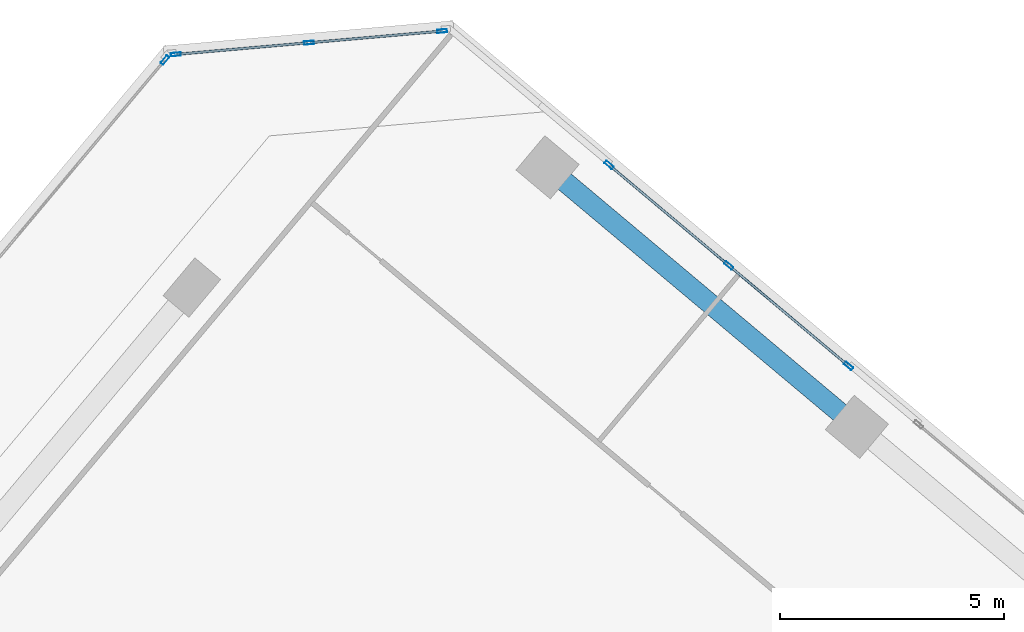
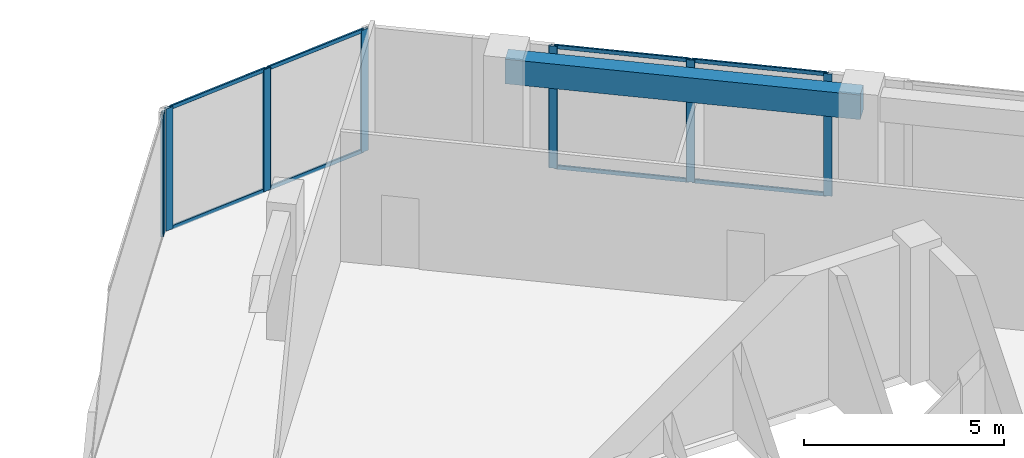
# One storey, part 9 of 17: 15 members, 1 beam, 3 elements without a shape of their own.
"""IFC4 building model written with IfcOpenShell, lengths in metres."""

from ifc_helpers import new_model, si_unit, direction, frame, origin, origin_2d, place, context, subcontext, project, spatial, rectangle, hollow_rectangle, extrude, source, transform, mapped, material, material_profile, profile_set, type_object, element, aggregate, save


model = new_model("IFC4")

# Units and contexts
model_context = context("Model", 3, precision=1e-05, world=origin(), true_north=direction((0.0, 1.0)))
body_context = subcontext(model_context, "Body", "Model", "MODEL_VIEW")
ifc_project = project(units=[si_unit("LENGTHUNIT", "METRE"), si_unit("AREAUNIT", "SQUARE_METRE"), si_unit("VOLUMEUNIT", "CUBIC_METRE"), si_unit("PLANEANGLEUNIT", "RADIAN"), si_unit("MASSUNIT", "GRAM", prefix="KILO")], contexts=[model_context])

# Site, building, storey
site_placement = place(None, origin())
site = spatial("IfcSite", under=ifc_project, at=site_placement, CompositionType="ELEMENT")
building_placement = place(site_placement, origin())
building = spatial("IfcBuilding", under=site, at=building_placement, Name="Torre Montelarca", CompositionType="ELEMENT")
storey_placement = place(building_placement, frame((0.0, 0.0, 220.60009765625)))
storey = spatial("IfcBuildingStorey", under=building, at=storey_placement, Name="L49", CompositionType="ELEMENT", Elevation=220.60009765625)

# Beam
ifc_material_1 = material(Name="Concrete C55/67", Category="concrete")
ifc_material_profile_1 = material_profile(ifc_material_1, rectangle(XDim=0.449951171875, YDim=0.75, at=origin_2d()), Name="RCB450X750", Category="concrete")
ifc_profile_set_1 = profile_set([ifc_material_profile_1], Name="Concrete C55/67")
beam_type = type_object("IfcBeamType", Name="BM-SP-RC750-EXT", PredefinedType="SPANDREL", material=ifc_profile_set_1)
shared_shape_1 = source(origin(), body_context, "Body", "SweptSolid", [
    extrude(rectangle(XDim=0.449951171875, YDim=0.75, at=origin_2d()), origin(), (0.0, 0.0, 1.0), 9.000244140625),
])
beam_placement = place(storey_placement, frame((21.66259765625, 51.640380859375, 3.5849609375), z_axis=(0.766046761698, -0.642784846501, 0.0), x_axis=(0.642784846501, 0.766046761698, 0.0)))
element("IfcBeam", 1, at=beam_placement, inside=storey, type_object=beam_type, Name="L49 Grid Girder X 9.0-18.0 at Y=47.1", PredefinedType="SPANDREL", context=body_context, shape_type="MappedRepresentation", body=[
    mapped(shared_shape_1, transform((0.0, 0.0, 0.0), scale=1.0)),
])

# Curtain wall, members
ifc_material_2 = material(Name="Insulated low-E laminated glass", Category="glass")
curtain_wall_type = type_object("IfcCurtainWallType", Name="CW-SYS-Z3", PredefinedType="USERDEFINED", material=ifc_material_2)
curtain_wall_1_placement = place(storey_placement, origin())
curtain_wall_1 = element("IfcCurtainWall", 2, at=curtain_wall_1_placement, inside=storey, type_object=curtain_wall_type, Name="L49 Curtain Wall Run CW-T3-L49-E09-B1", ObjectType="UNITISED GLAZING", PredefinedType="USERDEFINED")
ifc_material_3 = material(Name="Anodised aluminium AA 6063-T6", Category="aluminium")
ifc_material_profile_2 = material_profile(ifc_material_3, hollow_rectangle(XDim=0.054931640625, YDim=0.1201171875, WallThickness=0.00341796875, InnerFilletRadius=0.00341796875, OuterFilletRadius=0.007080078125, at=origin_2d()), Name="ALU55X120X3.5", Category="aluminium")
ifc_profile_set_2 = profile_set([ifc_material_profile_2], Name="Anodised aluminium AA 6063-T6")
member_type_1 = type_object("IfcMemberType", Name="CWT-ALU120", PredefinedType="USERDEFINED", material=ifc_profile_set_2)
shared_shape_2 = source(origin(), body_context, "Body", "SweptSolid", [
    extrude(hollow_rectangle(XDim=0.054931640625, YDim=0.1201171875, WallThickness=0.00341796875, InnerFilletRadius=0.00341796875, OuterFilletRadius=0.007080078125, at=origin_2d()), origin(), (0.0, 0.0, 1.0), 2.903564453125),
])
member_1_placement = place(storey_placement, frame((19.274658203125, 54.672607421875, 0.02734375), z_axis=(-0.996191526826, -0.087191982893, 0.0), x_axis=(0.087191982893, -0.996191526826, 0.0)))
member_1 = element("IfcMember", 3, at=member_1_placement, type_object=member_type_1, Name="CW transom 1.1", ObjectType="TRANSOM", PredefinedType="USERDEFINED", context=body_context, shape_type="MappedRepresentation", body=[
    mapped(shared_shape_2, transform((0.0, 0.0, 0.0), scale=1.0)),
])
member_2_placement = place(storey_placement, frame((19.274658203125, 54.672607421875, 3.6923828125), z_axis=(-0.996191526826, -0.087191982893, 0.0), x_axis=(0.087191982893, -0.996191526826, 0.0)))
member_2 = element("IfcMember", 4, at=member_2_placement, type_object=member_type_1, Name="CW transom 1.2", ObjectType="TRANSOM", PredefinedType="USERDEFINED", context=body_context, shape_type="MappedRepresentation", body=[
    mapped(shared_shape_2, transform((0.0, 0.0, 0.0), scale=1.0)),
])
member_3_placement = place(storey_placement, frame((16.307373046875, 54.4130859375, 0.02734375), z_axis=(-0.996191526826, -0.087191982893, 0.0), x_axis=(0.087191982893, -0.996191526826, 0.0)))
member_3 = element("IfcMember", 5, at=member_3_placement, type_object=member_type_1, Name="CW transom 2.1", ObjectType="TRANSOM", PredefinedType="USERDEFINED", context=body_context, shape_type="MappedRepresentation", body=[
    mapped(shared_shape_2, transform((0.0, 0.0, 0.0), scale=1.0)),
])
member_4_placement = place(storey_placement, frame((16.307373046875, 54.4130859375, 3.6923828125), z_axis=(-0.996191526826, -0.087191982893, 0.0), x_axis=(0.087191982893, -0.996191526826, 0.0)))
member_4 = element("IfcMember", 6, at=member_4_placement, type_object=member_type_1, Name="CW transom 2.2", ObjectType="TRANSOM", PredefinedType="USERDEFINED", context=body_context, shape_type="MappedRepresentation", body=[
    mapped(shared_shape_2, transform((0.0, 0.0, 0.0), scale=1.0)),
])

curtain_wall_2_placement = place(storey_placement, origin())
curtain_wall_2 = element("IfcCurtainWall", 7, at=curtain_wall_2_placement, inside=storey, type_object=curtain_wall_type, Name="L49 Curtain Wall Run CW-T3-L49-E08-B3", ObjectType="UNITISED GLAZING", PredefinedType="USERDEFINED")
shared_shape_3 = source(origin(), body_context, "Body", "SweptSolid", [
    extrude(hollow_rectangle(XDim=0.054931640625, YDim=0.1201171875, WallThickness=0.00341796875, InnerFilletRadius=0.00341796875, OuterFilletRadius=0.007080078125, at=origin_2d()), origin(), (0.0, 0.0, 1.0), 3.407470703125),
])
member_5_placement = place(storey_placement, frame((28.34033203125, 47.23828125, 0.02734375), z_axis=(-0.766067489569, 0.642760142997, 0.0), x_axis=(-0.642760142997, -0.766067489569, 0.0)))
member_5 = element("IfcMember", 8, at=member_5_placement, type_object=member_type_1, Name="CW transom 1.1", ObjectType="TRANSOM", PredefinedType="USERDEFINED", context=body_context, shape_type="MappedRepresentation", body=[
    mapped(shared_shape_3, transform((0.0, 0.0, 0.0), scale=1.0)),
])
member_6_placement = place(storey_placement, frame((28.34033203125, 47.23828125, 3.6923828125), z_axis=(-0.766067489569, 0.642760142997, 0.0), x_axis=(-0.642760142997, -0.766067489569, 0.0)))
member_6 = element("IfcMember", 9, at=member_6_placement, type_object=member_type_1, Name="CW transom 1.2", ObjectType="TRANSOM", PredefinedType="USERDEFINED", context=body_context, shape_type="MappedRepresentation", body=[
    mapped(shared_shape_3, transform((0.0, 0.0, 0.0), scale=1.0)),
])
member_7_placement = place(storey_placement, frame((25.672607421875, 49.476806640625, 0.02734375), z_axis=(-0.766067489569, 0.642760142997, 0.0), x_axis=(-0.642760142997, -0.766067489569, 0.0)))
member_7 = element("IfcMember", 10, at=member_7_placement, type_object=member_type_1, Name="CW transom 2.1", ObjectType="TRANSOM", PredefinedType="USERDEFINED", context=body_context, shape_type="MappedRepresentation", body=[
    mapped(shared_shape_3, transform((0.0, 0.0, 0.0), scale=1.0)),
])
member_8_placement = place(storey_placement, frame((25.672607421875, 49.476806640625, 3.6923828125), z_axis=(-0.766067489569, 0.642760142997, 0.0), x_axis=(-0.642760142997, -0.766067489569, 0.0)))
member_8 = element("IfcMember", 11, at=member_8_placement, type_object=member_type_1, Name="CW transom 2.2", ObjectType="TRANSOM", PredefinedType="USERDEFINED", context=body_context, shape_type="MappedRepresentation", body=[
    mapped(shared_shape_3, transform((0.0, 0.0, 0.0), scale=1.0)),
])
ifc_material_profile_3 = material_profile(ifc_material_3, hollow_rectangle(XDim=0.074951171875, YDim=0.219970703125, WallThickness=0.0048828125, InnerFilletRadius=0.0048828125, OuterFilletRadius=0.010009765625, at=origin_2d()), Name="ALU75X220X5", Category="aluminium")
ifc_profile_set_3 = profile_set([ifc_material_profile_3], Name="Anodised aluminium AA 6063-T6")
member_type_2 = type_object("IfcMemberType", Name="CWM-ALU220", PredefinedType="MULLION", material=ifc_profile_set_3)
shared_shape_4 = source(origin(), body_context, "Body", "SweptSolid", [
    extrude(hollow_rectangle(XDim=0.074951171875, YDim=0.219970703125, WallThickness=0.0048828125, InnerFilletRadius=0.0048828125, OuterFilletRadius=0.010009765625, at=origin_2d()), origin(), (0.0, 0.0, 1.0), 3.719970703125),
])
member_9_placement = place(storey_placement, frame((28.368896484375, 47.214111328125, 0.0), z_axis=(0.0, 0.0, 1.0), x_axis=(-0.642789243392, -0.766043072274, 0.0)))
member_9 = element("IfcMember", 12, at=member_9_placement, type_object=member_type_2, Name="CW mullion 1", PredefinedType="MULLION", context=body_context, shape_type="MappedRepresentation", body=[
    mapped(shared_shape_4, transform((0.0, 0.0, 0.0), scale=1.0)),
])
member_10_placement = place(storey_placement, frame((25.701171875, 49.45263671875, 0.0), z_axis=(0.0, 0.0, 1.0), x_axis=(-0.642789243392, -0.766043072274, 0.0)))
member_10 = element("IfcMember", 13, at=member_10_placement, type_object=member_type_2, Name="CW mullion 2", PredefinedType="MULLION", context=body_context, shape_type="MappedRepresentation", body=[
    mapped(shared_shape_4, transform((0.0, 0.0, 0.0), scale=1.0)),
])
member_11_placement = place(storey_placement, frame((23.033447265625, 51.691162109375, 0.0), z_axis=(0.0, 0.0, 1.0), x_axis=(-0.642789243392, -0.766043072274, 0.0)))
member_11 = element("IfcMember", 14, at=member_11_placement, type_object=member_type_2, Name="CW mullion 3", PredefinedType="MULLION", context=body_context, shape_type="MappedRepresentation", body=[
    mapped(shared_shape_4, transform((0.0, 0.0, 0.0), scale=1.0)),
])
aggregate(curtain_wall_2, [member_9, member_10, member_11, member_5, member_6, member_7, member_8])

# Member
member_12_placement = place(storey_placement, frame((19.31201171875, 54.676025390625, 0.0), z_axis=(0.0, 0.0, 1.0), x_axis=(0.087182579501, -0.996192349816, 0.0)))
member_12 = element("IfcMember", 15, at=member_12_placement, type_object=member_type_2, Name="CW mullion 1", PredefinedType="MULLION", context=body_context, shape_type="MappedRepresentation", body=[
    mapped(shared_shape_4, transform((0.0, 0.0, 0.0), scale=1.0)),
])

member_13_placement = place(storey_placement, frame((16.3447265625, 54.416259765625, 0.0), z_axis=(0.0, 0.0, 1.0), x_axis=(0.087182579501, -0.996192349816, 0.0)))
member_13 = element("IfcMember", 16, at=member_13_placement, type_object=member_type_2, Name="CW mullion 2", PredefinedType="MULLION", context=body_context, shape_type="MappedRepresentation", body=[
    mapped(shared_shape_4, transform((0.0, 0.0, 0.0), scale=1.0)),
])

member_14_placement = place(storey_placement, frame((13.37744140625, 54.156494140625, 0.0), z_axis=(0.0, 0.0, 1.0), x_axis=(0.087182579501, -0.996192349816, 0.0)))
member_14 = element("IfcMember", 17, at=member_14_placement, type_object=member_type_2, Name="CW mullion 3", PredefinedType="MULLION", context=body_context, shape_type="MappedRepresentation", body=[
    mapped(shared_shape_4, transform((0.0, 0.0, 0.0), scale=1.0)),
])

aggregate(curtain_wall_1, [member_12, member_13, member_14, member_1, member_2, member_3, member_4])

# Curtain wall, member
curtain_wall_3_placement = place(storey_placement, origin())
curtain_wall_3 = element("IfcCurtainWall", 18, at=curtain_wall_3_placement, inside=storey, type_object=curtain_wall_type, Name="L49 Curtain Wall Run CW-T3-L49-E10-B1", ObjectType="UNITISED GLAZING", PredefinedType="USERDEFINED")
member_15_placement = place(storey_placement, frame((13.13232421875, 54.029052734375, 0.0), z_axis=(0.0, 0.0, 1.0), x_axis=(0.766043772472, -0.642788408931, 0.0)))
member_15 = element("IfcMember", 19, at=member_15_placement, type_object=member_type_2, Name="CW mullion 1", PredefinedType="MULLION", context=body_context, shape_type="MappedRepresentation", body=[
    mapped(shared_shape_4, transform((0.0, 0.0, 0.0), scale=1.0)),
])
aggregate(curtain_wall_3, [member_15])

save(model, "model.ifc")
